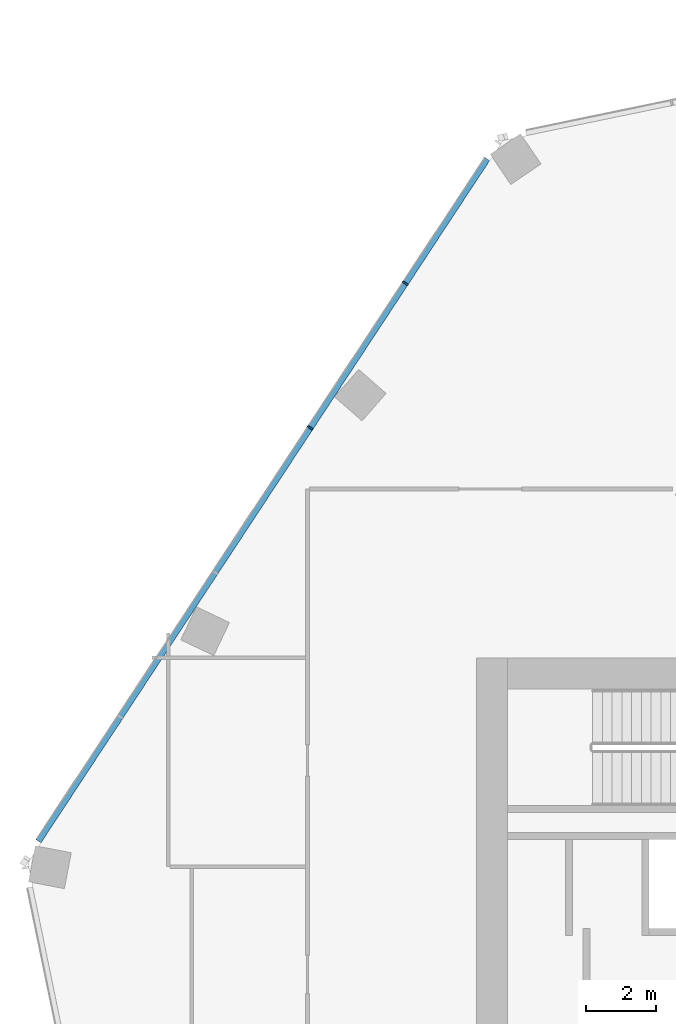
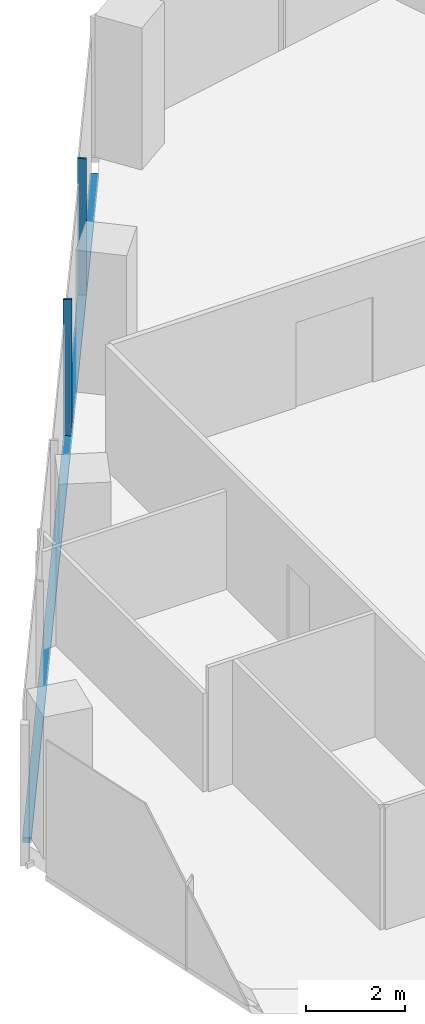
# One storey, part 7 of 24: 3 members, 1 element without a shape of its own.
"""IFC4 building model written with IfcOpenShell, lengths in metres."""

import ifcopenshell
import ifcopenshell.guid

model = None  # the IFC model being written
_history = None  # IfcOwnerHistory: only IFC2X3 demands one
_inside = {}  # id of a spatial element -> (the spatial element, [elements in it])
_under = {}  # id of a project, library or spatial element -> (it, [spatial elements below it])
_declared = {}  # id of a project -> (the project, [libraries it declares])
_typed = {}  # id of a type object -> (the type object, [elements of that type])
_made_of = {}  # id of a material, layer set ... -> (it, [elements and type objects made of it])


def new_model(schema):
    """Start an empty IFC model of exactly this schema.

    Asked for "IFC4X3", IfcOpenShell would pick the latest addendum, in which some entities
    have other attributes; the version numbers below select the first issue.
    IFC2X3 requires an IfcOwnerHistory on every rooted entity: one is made here for all.
    """
    global model, _history
    if schema == "IFC4X3":
        model = ifcopenshell.file(schema_version=(4, 3, 0, 0))
    else:
        model = ifcopenshell.file(schema=schema)
    _inside.clear()
    _under.clear()
    _declared.clear()
    _typed.clear()
    _made_of.clear()
    _history = None
    if model.schema == "IFC2X3":
        org = make("IfcOrganization", Name="unknown")
        user = make(
            "IfcPersonAndOrganization",
            ThePerson=make("IfcPerson", FamilyName="unknown"),
            TheOrganization=org,
        )
        app = make(
            "IfcApplication",
            ApplicationDeveloper=org,
            Version="unknown",
            ApplicationFullName="unknown",
            ApplicationIdentifier="unknown",
        )
        _history = make(
            "IfcOwnerHistory",
            OwningUser=user,
            OwningApplication=app,
            ChangeAction="ADDED",
            CreationDate=0,
        )
    return model


def make(cls, **values):
    """One entity of the class cls with the attributes given. An attribute that is None is left unset."""
    return model.create_entity(
        cls, **{name: value for name, value in values.items() if value is not None}
    )


def rooted(cls, **values):
    """An entity with a GlobalId (a new one), such as an element, a storey or a relation."""
    return make(cls, GlobalId=ifcopenshell.guid.new(), OwnerHistory=_history, **values)


def si_unit(unit_type, name, prefix=None):
    """IfcSIUnit, for example si_unit("LENGTHUNIT", "METRE", prefix="MILLI")."""
    return make("IfcSIUnit", UnitType=unit_type, Prefix=prefix, Name=name)


def assignment(units):
    """IfcUnitAssignment: the units of a project."""
    return None if units is None else make("IfcUnitAssignment", Units=units)


def point(xyz):
    """IfcCartesianPoint."""
    return None if xyz is None else make("IfcCartesianPoint", Coordinates=xyz)


def direction(xyz):
    """IfcDirection."""
    return None if xyz is None else make("IfcDirection", DirectionRatios=xyz)


def frame(location, z_axis=None, x_axis=None):
    """IfcAxis2Placement3D, a coordinate frame: its origin and axes. An axis left out is left unset."""
    return make(
        "IfcAxis2Placement3D",
        Location=point(location),
        Axis=direction(z_axis),
        RefDirection=direction(x_axis),
    )


def frame_2d(location, x_axis=None):
    """IfcAxis2Placement2D, a coordinate frame in the plane: its origin and x axis."""
    return make(
        "IfcAxis2Placement2D", Location=point(location), RefDirection=direction(x_axis)
    )


def origin():
    """The frame at (0, 0, 0) with its axes left unset."""
    return frame((0.0, 0.0, 0.0))


def origin_2d():
    """The frame at (0, 0) in the plane with its x axis left unset."""
    return frame_2d((0.0, 0.0))


def place(relative_to, where):
    """IfcLocalPlacement: puts the frame where relative to a parent placement (None: the world)."""
    return make(
        "IfcLocalPlacement", PlacementRelTo=relative_to, RelativePlacement=where
    )


def context(
    kind, dimensions, precision=None, world=None, true_north=None, identifier=None
):
    """IfcGeometricRepresentationContext, for example the 3D "Model" context."""
    return make(
        "IfcGeometricRepresentationContext",
        ContextIdentifier=identifier,
        ContextType=kind,
        CoordinateSpaceDimension=dimensions,
        Precision=precision,
        WorldCoordinateSystem=world,
        TrueNorth=true_north,
    )


def subcontext(parent, identifier, kind, view, scale=None):
    """IfcGeometricRepresentationSubContext, for example "Body" below "Model"."""
    return make(
        "IfcGeometricRepresentationSubContext",
        ContextIdentifier=identifier,
        ContextType=kind,
        ParentContext=parent,
        TargetScale=scale,
        TargetView=view,
    )


def project(units=None, contexts=None):
    """IfcProject with its units and contexts."""
    return rooted(
        "IfcProject",
        Name="project",
        RepresentationContexts=contexts,
        UnitsInContext=assignment(units),
    )


def spatial(cls, under=None, at=None, **own):
    """A site, building, storey or space (cls), placed at a placement, below another one or the project."""
    s = rooted(cls, ObjectPlacement=at, **own)
    if under is not None:
        _under.setdefault(under.id(), (under, []))[1].append(s)
    return s


def profile(cls, at=None, kind="AREA", **sizes):
    """A parametric profile (cls). Its sizes go by their IFC names, for example OverallWidth=200.0."""
    return make(cls, ProfileType=kind, Position=at, **sizes)


def rectangle(**sizes):
    """IfcRectangleProfileDef."""
    return profile("IfcRectangleProfileDef", **sizes)


def extrude(swept, where, along, depth):
    """IfcExtrudedAreaSolid: the profile swept, set in the frame where, extruded along a direction by depth."""
    return make(
        "IfcExtrudedAreaSolid",
        SweptArea=swept,
        Position=where,
        ExtrudedDirection=direction(along),
        Depth=depth,
    )


def shape(context_of_items, identifier, shape_type, items):
    """IfcShapeRepresentation: the items that make up one representation, for example the "Body"."""
    return make(
        "IfcShapeRepresentation",
        ContextOfItems=context_of_items,
        RepresentationIdentifier=identifier,
        RepresentationType=shape_type,
        Items=items,
    )


def material(Name=None, Category=None):
    """IfcMaterial."""
    return make("IfcMaterial", Name=Name, Category=Category)


def material_profile(
    of_material, cross_section, Name=None, Category=None, Priority=None
):
    """IfcMaterialProfile: a cross section and its material."""
    return make(
        "IfcMaterialProfile",
        Name=Name,
        Material=of_material,
        Profile=cross_section,
        Priority=Priority,
        Category=Category,
    )


def profile_set(profiles, Name=None, composite=None):
    """IfcMaterialProfileSet."""
    return make(
        "IfcMaterialProfileSet",
        Name=Name,
        MaterialProfiles=profiles,
        CompositeProfile=composite,
    )


def made_of(thing, what):
    """Note that an element or type object is made of a material, layer set ...; save() writes the relation."""
    if what is not None:
        _made_of.setdefault(what.id(), (what, []))[1].append(thing)
    return thing


def type_object(cls, material=None, **own):
    """A type object (cls), such as IfcWallType, which elements share."""
    return made_of(rooted(cls, **own), material)


def element(
    cls,
    number,
    at=None,
    inside=None,
    cuts=None,
    type_object=None,
    material=None,
    context=None,
    identifier="Body",
    shape_type=None,
    held_by="IfcProductDefinitionShape",
    body=None,
    shapes=None,
    **own,
):
    """One element of the class cls, such as IfcWall. Its Tag is "e" and its number.

    at: its placement. inside: the storey or other place that contains it. cuts: it is an
    opening in that element (IfcRelVoidsElement). A single representation is given by context,
    identifier, shape_type and body (its items); several are given by shapes. held_by: the class
    of the entity that holds the representations. save() writes the other relations.
    """
    e = rooted(cls, Tag="e%d" % number, ObjectPlacement=at, **own)
    if body is not None:
        shapes = [shape(context, identifier, shape_type, body)]
    if shapes is not None:
        e.Representation = make(held_by, Representations=shapes)
    if inside is not None:
        _inside.setdefault(inside.id(), (inside, []))[1].append(e)
    if cuts is not None:
        rooted(
            "IfcRelVoidsElement", RelatingBuildingElement=cuts, RelatedOpeningElement=e
        )
    if type_object is not None:
        _typed.setdefault(type_object.id(), (type_object, []))[1].append(e)
    return made_of(e, material)


def aggregate(whole, parts):
    """IfcRelAggregates: a whole, such as a stair, and the parts it consists of."""
    return rooted("IfcRelAggregates", RelatingObject=whole, RelatedObjects=parts)


def save(model, path):
    """Write the relations noted so far, then the file.

    IfcRelAggregates (storeys below a building ...), IfcRelContainedInSpatialStructure (elements
    in a storey), IfcRelDefinesByType, IfcRelAssociatesMaterial and IfcRelDeclares: one each for
    every whole, place, type object, material and project.
    """
    for whole, parts in _under.values():
        aggregate(whole, parts)
    for where, things in _inside.values():
        rooted(
            "IfcRelContainedInSpatialStructure",
            RelatedElements=things,
            RelatingStructure=where,
        )
    for kind, things in _typed.values():
        rooted("IfcRelDefinesByType", RelatedObjects=things, RelatingType=kind)
    for what, things in _made_of.values():
        rooted("IfcRelAssociatesMaterial", RelatedObjects=things, RelatingMaterial=what)
    for by, libraries in _declared.values():
        rooted("IfcRelDeclares", RelatingContext=by, RelatedDefinitions=libraries)
    model.write(path)


model = new_model("IFC4")

# Units and contexts
model_context = context("Model", 3, precision=1e-05, world=origin(), true_north=direction((0.0, 1.0)))
body_context = subcontext(model_context, "Body", "Model", "MODEL_VIEW")
ifc_project = project(units=[si_unit("LENGTHUNIT", "METRE"), si_unit("AREAUNIT", "SQUARE_METRE"), si_unit("VOLUMEUNIT", "CUBIC_METRE"), si_unit("PLANEANGLEUNIT", "RADIAN"), si_unit("MASSUNIT", "GRAM", prefix="KILO")], contexts=[model_context])

# Site, building, storey
site_placement = place(None, origin())
site = spatial("IfcSite", under=ifc_project, at=site_placement, CompositionType="ELEMENT")
building_placement = place(site_placement, origin())
building = spatial("IfcBuilding", under=site, at=building_placement, Name="Orlundy Tower", CompositionType="ELEMENT")
storey_placement = place(building_placement, frame((0.0, 0.0, 246.0)))
storey = spatial("IfcBuildingStorey", under=building, at=storey_placement, Name="L65", CompositionType="ELEMENT", Elevation=246.0)

# Curtain wall, members
ifc_material_1 = material(Name="Aluminium bronze anodised", Category="aluminium")
curtain_wall_type = type_object("IfcCurtainWallType", Name="CW1 wall", PredefinedType="NOTDEFINED", material=ifc_material_1)
curtain_wall_placement = place(storey_placement, origin())
curtain_wall = element("IfcCurtainWall", 1, at=curtain_wall_placement, inside=storey, type_object=curtain_wall_type, Name="CW1 run 015", PredefinedType="NOTDEFINED")
ifc_material_2 = material(Name="Aluminium bronze anodised", Category="aluminium")
ifc_material_profile_1 = material_profile(ifc_material_2, rectangle(XDim=0.179931640625, YDim=0.050048828125, at=origin_2d()), Name="CW1 mullion 50x180")
ifc_profile_set_1 = profile_set([ifc_material_profile_1], Name="Aluminium bronze anodised")
member_type_1 = type_object("IfcMemberType", Name="CW1 mullion 50x180", PredefinedType="MULLION", material=ifc_profile_set_1)
member_1_placement = place(storey_placement, frame((-23.77392578125, 18.61083984375, -0.39990234375), z_axis=(0.0, 0.0, 1.0), x_axis=(-0.835482225793, 0.5495174705, 0.0)))
member_1 = element("IfcMember", 2, at=member_1_placement, type_object=member_type_1, Name="CW1 mullion 30", PredefinedType="MULLION", context=body_context, shape_type="SweptSolid", body=[
    extrude(rectangle(XDim=0.179931640625, YDim=0.050048828125, at=origin_2d()), origin(), (0.0, 0.0, 1.0), 3.47998046875),
])
member_2_placement = place(storey_placement, frame((-21.04248046875, 22.763671875, -0.39990234375), z_axis=(0.0, 0.0, 1.0), x_axis=(-0.835482225793, 0.5495174705, 0.0)))
member_2 = element("IfcMember", 3, at=member_2_placement, type_object=member_type_1, Name="CW1 mullion 31", PredefinedType="MULLION", context=body_context, shape_type="SweptSolid", body=[
    extrude(rectangle(XDim=0.179931640625, YDim=0.050048828125, at=origin_2d()), origin(), (0.0, 0.0, 1.0), 3.47998046875),
])
ifc_material_3 = material(Name="Aluminium bronze anodised", Category="aluminium")
ifc_material_profile_2 = material_profile(ifc_material_3, rectangle(XDim=0.179931640625, YDim=0.1201171875, at=origin_2d()), Name="CW1 transom 180x120")
ifc_profile_set_2 = profile_set([ifc_material_profile_2], Name="Aluminium bronze anodised")
member_type_2 = type_object("IfcMemberType", Name="CW1 transom 180x120", PredefinedType="USERDEFINED", material=ifc_profile_set_2)
member_3_placement = place(storey_placement, frame((-31.587158203125, 6.731689453125, -0.340087890625), z_axis=(0.549515607756, 0.835483450963, 0.0), x_axis=(-0.835483450963, 0.549515607756, 0.0)))
member_3 = element("IfcMember", 4, at=member_3_placement, type_object=member_type_2, Name="CW1 transom", ObjectType="TRANSOM", PredefinedType="USERDEFINED", context=body_context, shape_type="SweptSolid", body=[
    extrude(rectangle(XDim=0.179931640625, YDim=0.1201171875, at=origin_2d()), origin(), (0.0, 0.0, 1.0), 23.466552734375),
])
aggregate(curtain_wall, [member_1, member_2, member_3])

save(model, "model.ifc")
